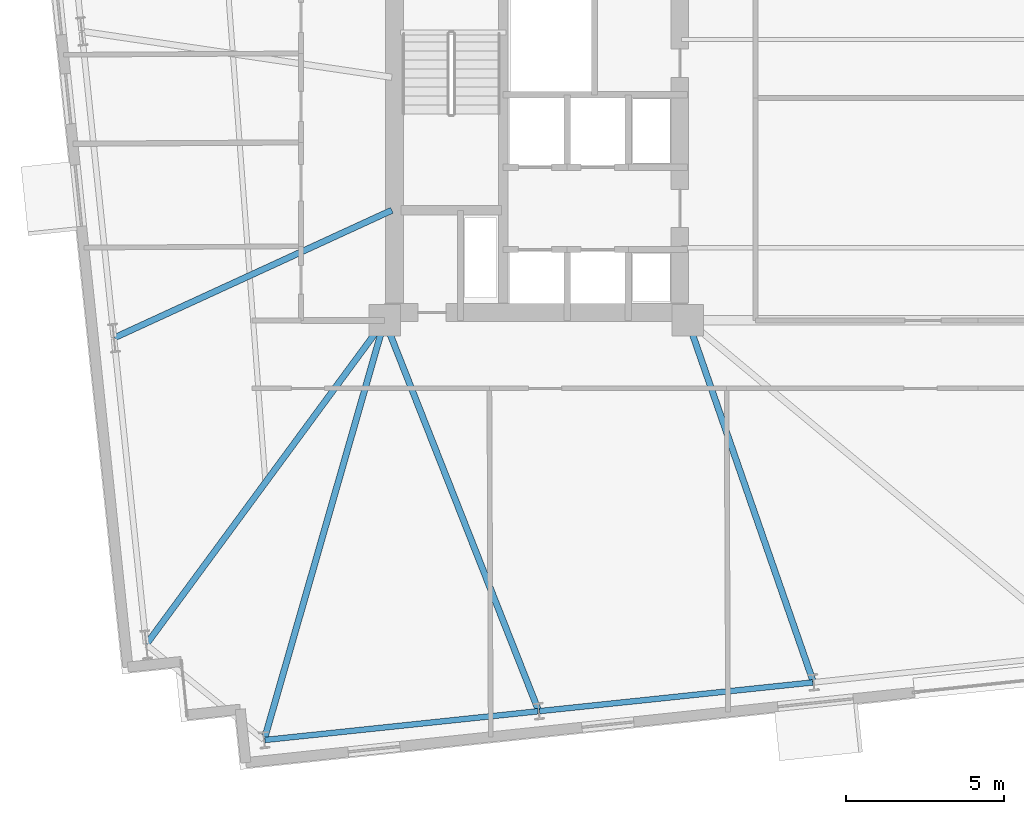
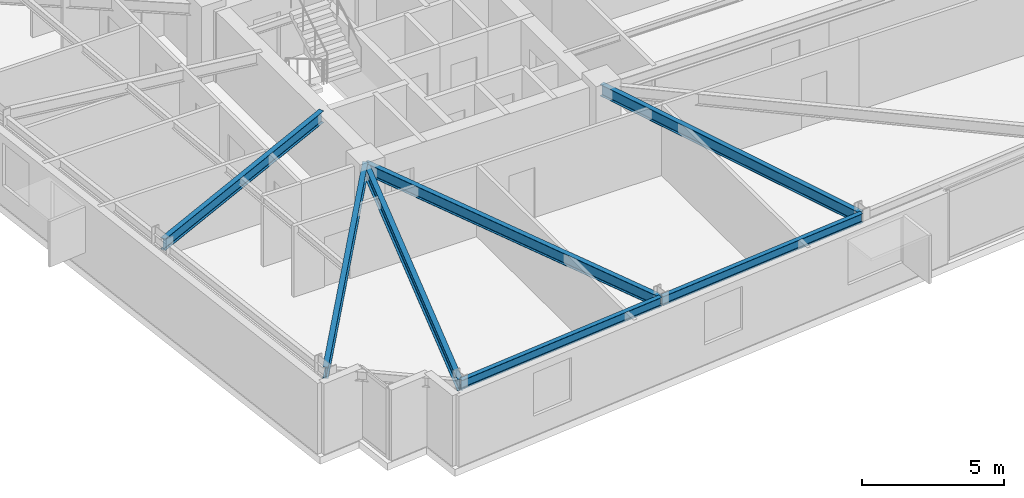
# One storey, part 5 of 22: 7 beams.
"""IFC4 building model written with IfcOpenShell, lengths in metres."""

from ifc_helpers import new_model, si_unit, direction, frame, origin, origin_2d, place, context, subcontext, project, spatial, i_section, extrude, material, material_profile, profile_set, type_object, element, save


model = new_model("IFC4")

# Units and contexts
model_context = context("Model", 3, precision=1e-05, world=origin(), true_north=direction((0.0, 1.0)))
body_context = subcontext(model_context, "Body", "Model", "MODEL_VIEW")
ifc_project = project(units=[si_unit("LENGTHUNIT", "METRE"), si_unit("AREAUNIT", "SQUARE_METRE"), si_unit("VOLUMEUNIT", "CUBIC_METRE"), si_unit("PLANEANGLEUNIT", "RADIAN"), si_unit("MASSUNIT", "GRAM", prefix="KILO")], contexts=[model_context])

# Site, building, storey
site_placement = place(None, origin())
site = spatial("IfcSite", under=ifc_project, at=site_placement, CompositionType="ELEMENT")
building_placement = place(site_placement, origin())
building = spatial("IfcBuilding", under=site, at=building_placement, Name="Qobustan Lattice House", CompositionType="ELEMENT")
storey_placement = place(building_placement, frame((0.0, 0.0, 99.10009765625)))
storey = spatial("IfcBuildingStorey", under=building, at=storey_placement, Name="L27", CompositionType="ELEMENT", Elevation=99.10009765625)

# Beams
ifc_material_1 = material(Name="Steel S355", Category="steel")
ifc_material_profile_1 = material_profile(ifc_material_1, i_section(OverallWidth=0.199951171875, OverallDepth=0.5, WebThickness=0.01025390625, FlangeThickness=0.01611328125, FilletRadius=0.02099609375, at=origin_2d()), Name="IPE500")
ifc_profile_set_1 = profile_set([ifc_material_profile_1], Name="Steel S355")
beam_type_1 = type_object("IfcBeamType", Name="BM-FLG-IPE500", PredefinedType="USERDEFINED", material=ifc_profile_set_1)
beam_1_placement = place(storey_placement, frame((-22.612548828125, -18.87109375, 2.794921875), z_axis=(0.276115177845, 0.961124554136, 0.0), x_axis=(-0.961124554136, 0.276115177845, 0.0)))
element("IfcBeam", 1, at=beam_1_placement, inside=storey, type_object=beam_type_1, Name="L27 primary floor girder RAD-S1W", ObjectType="GIRDER", PredefinedType="USERDEFINED", context=body_context, shape_type="SweptSolid", body=[
    extrude(i_section(OverallWidth=0.199951171875, OverallDepth=0.5, WebThickness=0.01025390625, FlangeThickness=0.01611328125, FilletRadius=0.02099609375, at=origin_2d()), origin(), (0.0, 0.0, 1.0), 13.782958984375),
])
beam_2_placement = place(storey_placement, frame((-13.926513671875, -17.95703125, 2.794921875), z_axis=(-0.366884358141, 0.930266557365, 0.0), x_axis=(-0.930266557365, -0.366884358141, 0.0)))
element("IfcBeam", 2, at=beam_2_placement, inside=storey, type_object=beam_type_1, Name="L27 primary floor girder RAD-S2", ObjectType="GIRDER", PredefinedType="USERDEFINED", context=body_context, shape_type="SweptSolid", body=[
    extrude(i_section(OverallWidth=0.199951171875, OverallDepth=0.5, WebThickness=0.01025390625, FlangeThickness=0.01611328125, FilletRadius=0.02099609375, at=origin_2d()), origin(), (0.0, 0.0, 1.0), 13.25830078125),
])
beam_3_placement = place(storey_placement, frame((-5.223388671875, -17.0419921875, 2.794921875), z_axis=(-0.328289533586, 0.94457714462, 0.0), x_axis=(-0.94457714462, -0.328289533586, 0.0)))
element("IfcBeam", 3, at=beam_3_placement, inside=storey, type_object=beam_type_1, Name="L27 primary floor girder RAD-S3", ObjectType="GIRDER", PredefinedType="USERDEFINED", context=body_context, shape_type="SweptSolid", body=[
    extrude(i_section(OverallWidth=0.199951171875, OverallDepth=0.5, WebThickness=0.01025390625, FlangeThickness=0.01611328125, FilletRadius=0.02099609375, at=origin_2d()), origin(), (0.0, 0.0, 1.0), 12.08837890625),
])
beam_4_placement = place(storey_placement, frame((-27.3544921875, -6.1455078125, 2.794921875), z_axis=(0.908664928826, 0.417526103521, 0.0), x_axis=(-0.417526103521, 0.908664928826, 0.0)))
element("IfcBeam", 4, at=beam_4_placement, inside=storey, type_object=beam_type_1, Name="L27 primary floor girder RAD-W3", ObjectType="GIRDER", PredefinedType="USERDEFINED", context=body_context, shape_type="SweptSolid", body=[
    extrude(i_section(OverallWidth=0.199951171875, OverallDepth=0.5, WebThickness=0.01025390625, FlangeThickness=0.01611328125, FilletRadius=0.02099609375, at=origin_2d()), origin(), (0.0, 0.0, 1.0), 9.66455078125),
])
beam_5_placement = place(storey_placement, frame((-26.34130859375, -15.848876953125, 2.794921875), z_axis=(0.592669703312, 0.805445605101, 0.0), x_axis=(-0.805445605101, 0.592669703312, 0.0)))
element("IfcBeam", 5, at=beam_5_placement, inside=storey, type_object=beam_type_1, Name="L27 primary floor girder RAD-W4", ObjectType="GIRDER", PredefinedType="USERDEFINED", context=body_context, shape_type="SweptSolid", body=[
    extrude(i_section(OverallWidth=0.199951171875, OverallDepth=0.5, WebThickness=0.01025390625, FlangeThickness=0.01611328125, FilletRadius=0.02099609375, at=origin_2d()), origin(), (0.0, 0.0, 1.0), 12.699462890625),
])
ifc_material_2 = material(Name="Steel S355", Category="steel")
ifc_material_profile_2 = material_profile(ifc_material_2, i_section(OverallWidth=0.179931640625, OverallDepth=0.39990234375, WebThickness=0.008544921875, FlangeThickness=0.013427734375, FilletRadius=0.02099609375, at=origin_2d()), Name="IPE400")
ifc_profile_set_2 = profile_set([ifc_material_profile_2], Name="Steel S355")
beam_type_2 = type_object("IfcBeamType", Name="BM-SPD-IPE400", PredefinedType="SPANDREL", material=ifc_profile_set_2)
beam_6_placement = place(storey_placement, frame((-22.594482421875, -18.892333984375, 2.844970703125), z_axis=(0.994521279781, 0.10453432002, 0.0), x_axis=(-0.10453432002, 0.994521279781, 0.0)))
element("IfcBeam", 6, at=beam_6_placement, inside=storey, type_object=beam_type_2, Name="L27 perimeter spandrel S1-S2", PredefinedType="SPANDREL", context=body_context, shape_type="SweptSolid", body=[
    extrude(i_section(OverallWidth=0.179931640625, OverallDepth=0.39990234375, WebThickness=0.008544921875, FlangeThickness=0.013427734375, FilletRadius=0.02099609375, at=origin_2d()), origin(), (0.0, 0.0, 1.0), 8.69970703125),
])
beam_7_placement = place(storey_placement, frame((-13.892578125, -17.977783203125, 2.844970703125), z_axis=(0.994521586424, 0.104531402636, 0.0), x_axis=(-0.104531402636, 0.994521586424, 0.0)))
element("IfcBeam", 7, at=beam_7_placement, inside=storey, type_object=beam_type_2, Name="L27 perimeter spandrel S2-S3", PredefinedType="SPANDREL", context=body_context, shape_type="SweptSolid", body=[
    extrude(i_section(OverallWidth=0.179931640625, OverallDepth=0.39990234375, WebThickness=0.008544921875, FlangeThickness=0.013427734375, FilletRadius=0.02099609375, at=origin_2d()), origin(), (0.0, 0.0, 1.0), 8.699951171875),
])

save(model, "model.ifc")
